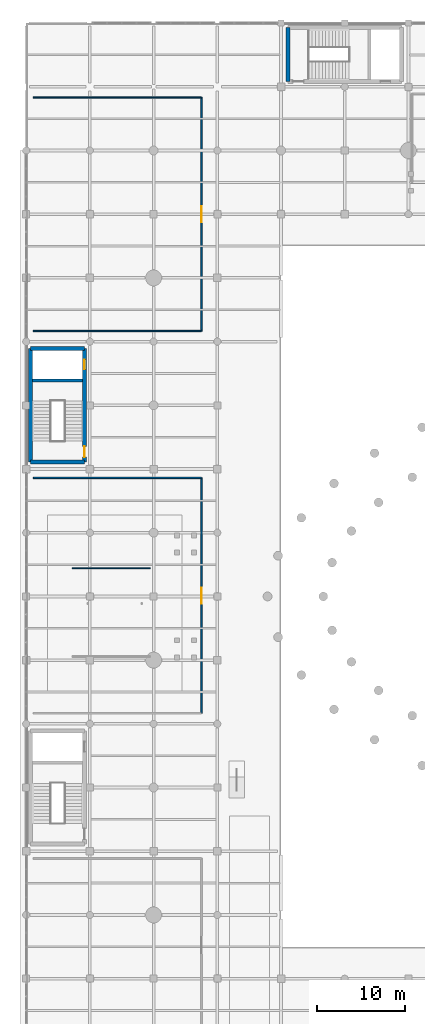
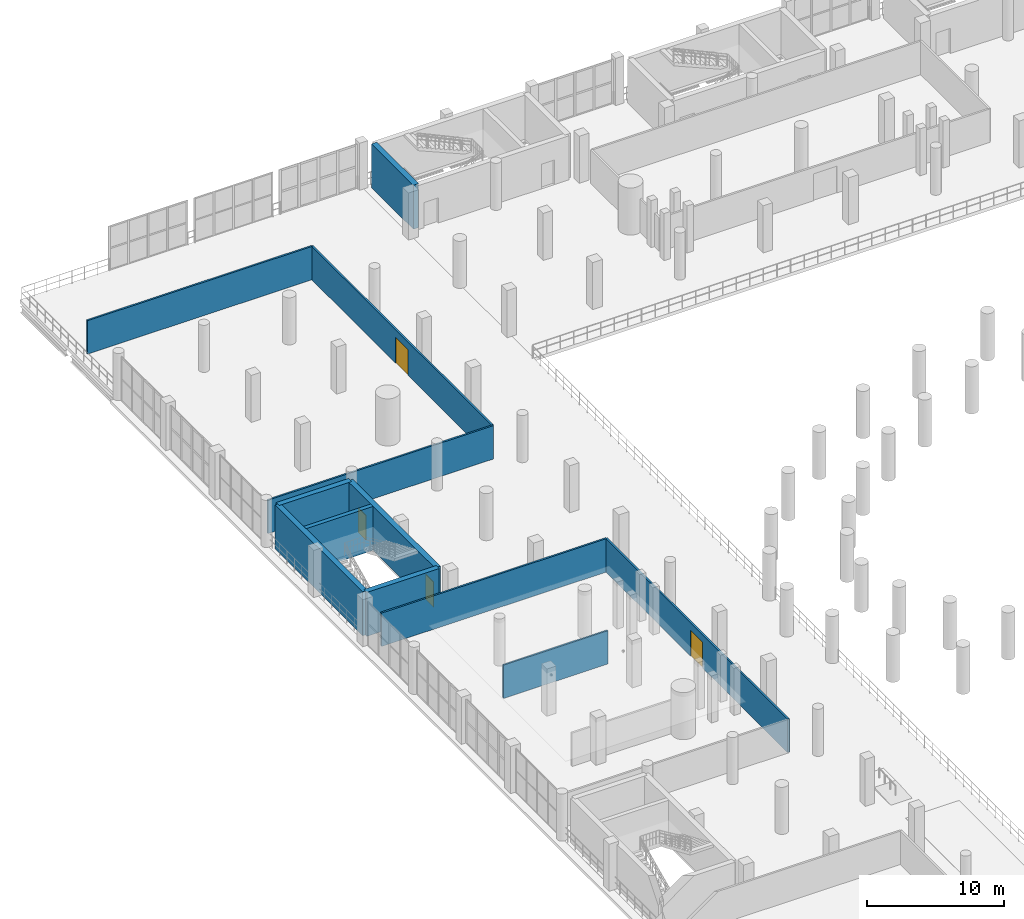
# One storey, part 134 of 153: 12 walls, 4 doors, 4 openings.
"""IFC4 building model written with IfcOpenShell, lengths in metres."""

from ifc_helpers import new_model, si_unit, direction, frame, frame_2d, origin, place, context, subcontext, project, spatial, rectangle, extrude, material, layer, layer_set, type_object, element, fill, save


model = new_model("IFC4")

# Units and contexts
model_context = context("Model", 3, precision=1e-05, world=origin(), true_north=direction((0.0, 1.0)))
body_context = subcontext(model_context, "Body", "Model", "MODEL_VIEW")
ifc_project = project(units=[si_unit("LENGTHUNIT", "METRE"), si_unit("AREAUNIT", "SQUARE_METRE"), si_unit("VOLUMEUNIT", "CUBIC_METRE"), si_unit("PLANEANGLEUNIT", "RADIAN"), si_unit("MASSUNIT", "GRAM", prefix="KILO")], contexts=[model_context])

# Site, building, storey
site_placement = place(None, origin())
site = spatial("IfcSite", under=ifc_project, at=site_placement, CompositionType="ELEMENT")
building_placement = place(site_placement, origin())
building = spatial("IfcBuilding", under=site, at=building_placement, Name="Qandorah Velis Arena", CompositionType="ELEMENT")
storey_placement = place(building_placement, frame((0.0, 0.0, 5.39990234375)))
storey = spatial("IfcBuildingStorey", under=building, at=storey_placement, Name="L01", CompositionType="ELEMENT", Elevation=5.39990234375)

# Wall
ifc_material_1 = material(Name="Steel S355", Category="steel")
ifc_layer_1 = layer(ifc_material_1, 0.139892578125)
ifc_layer_set_1 = layer_set([ifc_layer_1], Name="Steel S355")
wall_type_1 = type_object("IfcWallType", Name="ARC-WAL-MOV140", PredefinedType="MOVABLE", material=ifc_layer_set_1)
wall_1_placement = place(storey_placement, frame((5.199951171875, 68.0, 0.0), z_axis=(0.0, 0.0, 1.0), x_axis=(1.0, 0.0, 0.0)))
element("IfcWall", 1, at=wall_1_placement, inside=storey, type_object=wall_type_1, Name="Operable acoustic partition MP-02", PredefinedType="MOVABLE", context=body_context, shape_type="SweptSolid", body=[
    extrude(rectangle(XDim=8.800048828125, YDim=0.139892578125, at=frame_2d((4.39990234375, 0.0))), origin(), (0.0, 0.0, 1.0), 2.97021484375),
])

# Wall, opening, door
ifc_material_2 = material(Name="Concrete C35/45", Category="concrete")
ifc_layer_2 = layer(ifc_material_2, 0.14990234375)
ifc_layer_set_2 = layer_set([ifc_layer_2], Name="Concrete C35/45")
wall_type_2 = type_object("IfcWallType", Name="ARC-WAL-PART150", PredefinedType="PARTITIONING", material=ifc_layer_set_2)
wall_2_placement = place(storey_placement, frame((19.800048828125, 51.60009765625, 0.0), z_axis=(0.0, 0.0, 1.0), x_axis=(0.0, 1.0, 0.0)))
wall_2 = element("IfcWall", 2, at=wall_2_placement, inside=storey, type_object=wall_type_2, Name="Interior partition L01-CLB-MID (E)", PredefinedType="PARTITIONING", context=body_context, shape_type="SweptSolid", body=[
    extrude(rectangle(XDim=26.599853515625, YDim=0.14990234375, at=frame_2d((13.2998046875, 0.0))), origin(), (0.0, 0.0, 1.0), 2.97998046875),
])
opening_1_placement = place(wall_2_placement, frame((12.39990234375, 0.0, 0.0)))
opening_1 = element("IfcOpeningElement", 3, at=opening_1_placement, cuts=wall_2, Name="Opening D3", PredefinedType="OPENING", context=body_context, shape_type="SweptSolid", body=[
    extrude(rectangle(XDim=1.800048828125, YDim=2.300048828125, at=frame_2d((0.89990234375, 1.14990234375))), frame((0.0, 0.0849609375, 0.0), z_axis=(0.0, -1.0, 0.0), x_axis=(1.0, 0.0, 0.0)), (0.0, 0.0, 1.0), 0.169921875),
])
ifc_material_3 = material(Name="Double-leaf acoustic timber door", Category="wood")
door_type_1 = type_object("IfcDoorType", Name="ARC-DR-DBL1800", OperationType="NOTDEFINED", PredefinedType="DOOR", material=ifc_material_3)
door_1_placement = place(opening_1_placement, origin())
door_1 = element("IfcDoor", 4, at=door_1_placement, inside=storey, type_object=door_type_1, Name="Door L01-CLB-MID", OperationType="DOUBLE_DOOR_SINGLE_SWING", OverallHeight=2.300048828125, OverallWidth=1.800048828125, PredefinedType="DOOR", context=body_context, shape_type="SweptSolid", body=[
    extrude(rectangle(XDim=1.800048828125, YDim=2.300048828125, at=frame_2d((0.89990234375, 1.14990234375))), frame((0.0, 0.02490234375, 0.0), z_axis=(0.0, -1.0, 0.0), x_axis=(1.0, 0.0, 0.0)), (0.0, 0.0, 1.0), 0.050048828125),
])
fill(opening_1, door_1)

# Walls
for number, where, z_axis, x_axis, name in (
    (5, (19.800048828125, 78.199951171875, 0.0), (0.0, 0.0, 1.0), (-1.0, 0.0, 0.0), "Interior partition L01-CLB-MID (N)"),
    (6, (0.800048828125, 94.800048828125, 0.0), (0.0, 0.0, 1.0), (1.0, 0.0, 0.0), "Interior partition L01-CLB-NW (S)"),
):
    element("IfcWall", number, at=place(storey_placement, frame(where, z_axis=z_axis, x_axis=x_axis)), inside=storey, type_object=wall_type_2, Name=name, PredefinedType="PARTITIONING", context=body_context, shape_type="SweptSolid", body=[
        extrude(rectangle(XDim=19.0, YDim=0.14990234375, at=frame_2d((9.5, 0.0))), origin(), (0.0, 0.0, 1.0), 2.97998046875),
    ])

# Wall, opening, door
wall_3_placement = place(storey_placement, frame((19.800048828125, 94.800048828125, 0.0), z_axis=(0.0, 0.0, 1.0), x_axis=(0.0, 1.0, 0.0)))
wall_3 = element("IfcWall", 7, at=wall_3_placement, inside=storey, type_object=wall_type_2, Name="Interior partition L01-CLB-NW (E)", PredefinedType="PARTITIONING", context=body_context, shape_type="SweptSolid", body=[
    extrude(rectangle(XDim=26.39990234375, YDim=0.14990234375, at=frame_2d((13.199951171875, 0.0))), origin(), (0.0, 0.0, 1.0), 2.97998046875),
])
opening_2_placement = place(wall_3_placement, frame((12.300048828125, 0.0, 0.0)))
opening_2 = element("IfcOpeningElement", 8, at=opening_2_placement, cuts=wall_3, Name="Opening D3", PredefinedType="OPENING", context=body_context, shape_type="SweptSolid", body=[
    extrude(rectangle(XDim=1.800048828125, YDim=2.300048828125, at=frame_2d((0.89990234375, 1.14990234375))), frame((0.0, 0.0849609375, 0.0), z_axis=(0.0, -1.0, 0.0), x_axis=(1.0, 0.0, 0.0)), (0.0, 0.0, 1.0), 0.169921875),
])
door_2_placement = place(opening_2_placement, origin())
door_2 = element("IfcDoor", 9, at=door_2_placement, inside=storey, type_object=door_type_1, Name="Door L01-CLB-NW", OperationType="DOUBLE_DOOR_SINGLE_SWING", OverallHeight=2.300048828125, OverallWidth=1.800048828125, PredefinedType="DOOR", context=body_context, shape_type="SweptSolid", body=[
    extrude(rectangle(XDim=1.800048828125, YDim=2.300048828125, at=frame_2d((0.89990234375, 1.14990234375))), frame((0.0, 0.02490234375, 0.0), z_axis=(0.0, -1.0, 0.0), x_axis=(1.0, 0.0, 0.0)), (0.0, 0.0, 1.0), 0.050048828125),
])
fill(opening_2, door_2)

# Walls
wall_4_placement = place(storey_placement, frame((19.800048828125, 121.199951171875, 0.0), z_axis=(0.0, 0.0, 1.0), x_axis=(-1.0, 0.0, 0.0)))
element("IfcWall", 10, at=wall_4_placement, inside=storey, type_object=wall_type_2, Name="Interior partition L01-CLB-NW (N)", PredefinedType="PARTITIONING", context=body_context, shape_type="SweptSolid", body=[
    extrude(rectangle(XDim=19.0, YDim=0.14990234375, at=frame_2d((9.5, 0.0))), origin(), (0.0, 0.0, 1.0), 2.97998046875),
])
ifc_material_4 = material(Name="Concrete C40/50", Category="concrete")
ifc_layer_3 = layer(ifc_material_4, 0.449951171875)
ifc_layer_set_3 = layer_set([ifc_layer_3], Name="Concrete C40/50")
wall_type_3 = type_object("IfcWallType", Name="STR-WAL-CORE450", PredefinedType="SHEAR", material=ifc_layer_set_3)
for number, where, z_axis, x_axis, name in (
    (11, (29.60009765625, 123.0, 0.0), (0.0, 0.0, 1.0), (0.0, 1.0, 0.0), "Core CORE-03 shear wall W (L01)"),
    (12, (0.5, 80.0, 0.0), (0.0, 0.0, 1.0), (1.0, 0.0, 0.0), "Core CORE-06 shear wall S (L01)"),
    (13, (0.5, 92.800048828125, 0.0), (0.0, 0.0, 1.0), (1.0, 0.0, 0.0), "Core CORE-06 shear wall N (L01)"),
):
    element("IfcWall", number, at=place(storey_placement, frame(where, z_axis=z_axis, x_axis=x_axis)), inside=storey, type_object=wall_type_3, Name=name, PredefinedType="SHEAR", context=body_context, shape_type="SweptSolid", body=[
        extrude(rectangle(XDim=6.10009765625, YDim=0.449951171875, at=frame_2d((3.050048828125, 0.0))), origin(), (0.0, 0.0, 1.0), 3.920166015625),
    ])
wall_5_placement = place(storey_placement, frame((0.5, 80.0, 0.0), z_axis=(0.0, 0.0, 1.0), x_axis=(0.0, 1.0, 0.0)))
element("IfcWall", 14, at=wall_5_placement, inside=storey, type_object=wall_type_3, Name="Core CORE-06 shear wall W (L01)", PredefinedType="SHEAR", context=body_context, shape_type="SweptSolid", body=[
    extrude(rectangle(XDim=12.800048828125, YDim=0.449951171875, at=frame_2d((6.39990234375, 0.0))), origin(), (0.0, 0.0, 1.0), 3.920166015625),
])

# Wall, openings, doors
wall_6_placement = place(storey_placement, frame((6.60009765625, 80.0, 0.0), z_axis=(0.0, 0.0, 1.0), x_axis=(0.0, 1.0, 0.0)))
wall_6 = element("IfcWall", 15, at=wall_6_placement, inside=storey, type_object=wall_type_3, Name="Core CORE-06 shear wall E (L01)", PredefinedType="SHEAR", context=body_context, shape_type="SweptSolid", body=[
    extrude(rectangle(XDim=12.800048828125, YDim=0.449951171875, at=frame_2d((6.39990234375, 0.0))), origin(), (0.0, 0.0, 1.0), 3.920166015625),
])
opening_3_placement = place(wall_6_placement, frame((0.550048828125, 0.0, 0.0)))
opening_3 = element("IfcOpeningElement", 16, at=opening_3_placement, cuts=wall_6, Name="Opening SD1", PredefinedType="OPENING", context=body_context, shape_type="SweptSolid", body=[
    extrude(rectangle(XDim=1.199951171875, YDim=2.25, at=frame_2d((0.60009765625, 1.125))), frame((0.0, 0.23486328125, 0.0), z_axis=(0.0, -1.0, 0.0), x_axis=(1.0, 0.0, 0.0)), (0.0, 0.0, 1.0), 0.469970703125),
])
opening_4_placement = place(wall_6_placement, frame((10.4580078125, 0.0, 0.0)))
opening_4 = element("IfcOpeningElement", 17, at=opening_4_placement, cuts=wall_6, Name="Opening LD1", PredefinedType="OPENING", context=body_context, shape_type="SweptSolid", body=[
    extrude(rectangle(XDim=1.10009765625, YDim=2.199951171875, at=frame_2d((0.550048828125, 1.10009765625))), frame((0.0, 0.23486328125, 0.0), z_axis=(0.0, -1.0, 0.0), x_axis=(1.0, 0.0, 0.0)), (0.0, 0.0, 1.0), 0.469970703125),
])
ifc_material_5 = material(Name="Stainless steel sliding lift landing door", Category="steel")
door_type_2 = type_object("IfcDoorType", Name="ARC-DR-LD1100", OperationType="NOTDEFINED", PredefinedType="DOOR", material=ifc_material_5)
door_3_placement = place(opening_4_placement, origin())
door_3 = element("IfcDoor", 18, at=door_3_placement, inside=storey, type_object=door_type_2, Name="Lift PL4 sliding landing door (L01)", OperationType="SLIDING_TO_LEFT", OverallHeight=2.199951171875, OverallWidth=1.10009765625, PredefinedType="DOOR", context=body_context, shape_type="SweptSolid", body=[
    extrude(rectangle(XDim=1.10009765625, YDim=2.199951171875, at=frame_2d((0.550048828125, 1.10009765625))), frame((0.0, 0.02490234375, 0.0), z_axis=(0.0, -1.0, 0.0), x_axis=(1.0, 0.0, 0.0)), (0.0, 0.0, 1.0), 0.050048828125),
])
fill(opening_4, door_3)
ifc_material_6 = material(Name="Self-closing fire-rated stair steel door", Category="steel")
door_type_3 = type_object("IfcDoorType", Name="ARC-DR-ST1200", OperationType="NOTDEFINED", PredefinedType="DOOR", material=ifc_material_6)
door_4_placement = place(opening_3_placement, origin())
door_4 = element("IfcDoor", 19, at=door_4_placement, inside=storey, type_object=door_type_3, Name="Stair ST6 fire door (L01)", OperationType="SINGLE_SWING_RIGHT", OverallHeight=2.25, OverallWidth=1.199951171875, PredefinedType="DOOR", context=body_context, shape_type="SweptSolid", body=[
    extrude(rectangle(XDim=1.199951171875, YDim=2.25, at=frame_2d((0.60009765625, 1.125))), frame((0.0, 0.02490234375, 0.0), z_axis=(0.0, -1.0, 0.0), x_axis=(1.0, 0.0, 0.0)), (0.0, 0.0, 1.0), 0.050048828125),
])
fill(opening_3, door_4)

# Wall
ifc_layer_4 = layer(ifc_material_4, 0.35009765625)
ifc_layer_set_4 = layer_set([ifc_layer_4], Name="Concrete C40/50")
wall_type_4 = type_object("IfcWallType", Name="STR-WAL-SH350", PredefinedType="SHEAR", material=ifc_layer_set_4)
wall_7_placement = place(storey_placement, frame((0.72509765625, 89.216064453125, 0.0), z_axis=(0.0, 0.0, 1.0), x_axis=(1.0, 0.0, 0.0)))
element("IfcWall", 20, at=wall_7_placement, inside=storey, type_object=wall_type_4, Name="Core CORE-06 shaft divider shear wall (L01)", PredefinedType="SHEAR", context=body_context, shape_type="SweptSolid", body=[
    extrude(rectangle(XDim=5.64990234375, YDim=0.35009765625, at=frame_2d((2.824951171875, 0.0))), origin(), (0.0, 0.0, 1.0), 3.920166015625),
])

save(model, "model.ifc")
